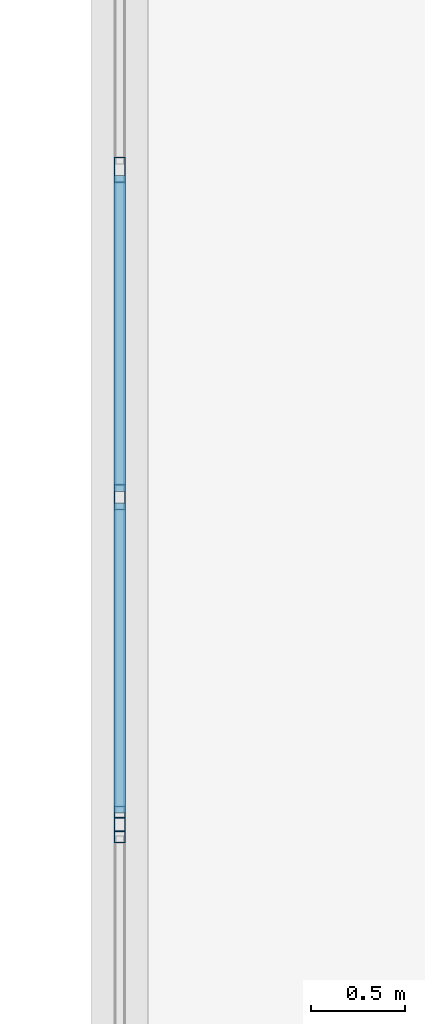
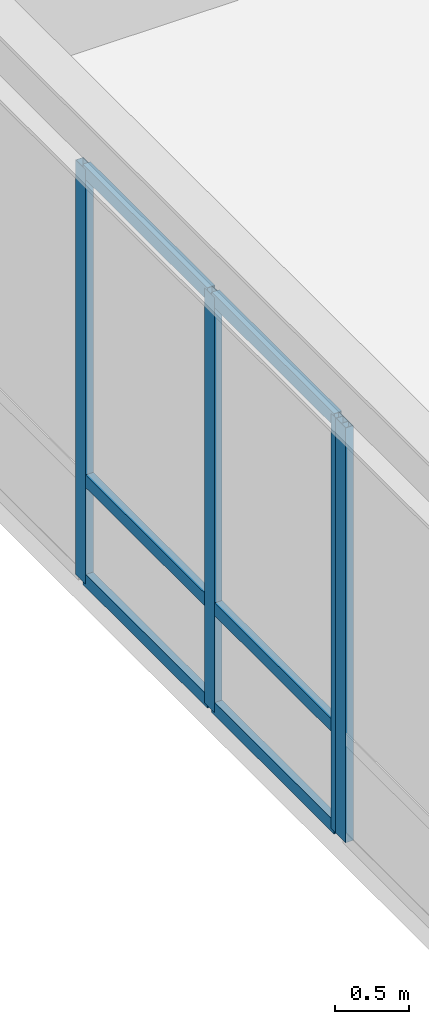
# One storey, part 21 of 36: 10 members, 2 elements without a shape of their own.
"""IFC4 building model written with IfcOpenShell, lengths in metres."""

from ifc_helpers import new_model, si_unit, direction, frame, origin, origin_2d, place, context, subcontext, project, spatial, hollow_rectangle, extrude, material, material_profile, profile_set, type_object, element, aggregate, save


model = new_model("IFC4")

# Units and contexts
model_context = context("Model", 3, precision=1e-05, world=origin(), true_north=direction((0.0, 1.0)))
body_context = subcontext(model_context, "Body", "Model", "MODEL_VIEW")
ifc_project = project(units=[si_unit("LENGTHUNIT", "METRE"), si_unit("AREAUNIT", "SQUARE_METRE"), si_unit("VOLUMEUNIT", "CUBIC_METRE"), si_unit("PLANEANGLEUNIT", "RADIAN"), si_unit("MASSUNIT", "GRAM", prefix="KILO")], contexts=[model_context])

# Site, building, storey
site_placement = place(None, origin())
site = spatial("IfcSite", under=ifc_project, at=site_placement, CompositionType="ELEMENT")
building_placement = place(site_placement, origin())
building = spatial("IfcBuilding", under=site, at=building_placement, Name="Lykobir Media Centre", CompositionType="ELEMENT")
storey_placement = place(building_placement, frame((0.0, 0.0, 27.60009765625)))
storey = spatial("IfcBuildingStorey", under=building, at=storey_placement, Name="L06", CompositionType="ELEMENT", Elevation=27.60009765625)

# Curtain wall, member
ifc_material = material(Name="Anodized Aluminium AW-6060", Category="aluminium")
curtain_wall_type = type_object("IfcCurtainWallType", Name="CW-PAV-V3", PredefinedType="NOTDEFINED", material=ifc_material)
curtain_wall_1_placement = place(storey_placement, origin())
curtain_wall_1 = element("IfcCurtainWall", 1, at=curtain_wall_1_placement, inside=storey, type_object=curtain_wall_type, Name="Curtain wall CW2-L06-0213", PredefinedType="NOTDEFINED")
ifc_material_profile_1 = material_profile(ifc_material, hollow_rectangle(XDim=0.06005859375, YDim=0.135009765625, WallThickness=0.00341796875, at=origin_2d()), Name="ALU MULLION 60x135")
ifc_profile_set_1 = profile_set([ifc_material_profile_1], Name="Anodized Aluminium AW-6060")
member_type_1 = type_object("IfcMemberType", Name="CWM-135", PredefinedType="MULLION", material=ifc_profile_set_1)
member_1_placement = place(storey_placement, frame((18.0, 35.969970703125, 0.0), z_axis=(0.0, 0.0, 1.0), x_axis=(-1.0, 0.0, 0.0)))
member_1 = element("IfcMember", 2, at=member_1_placement, type_object=member_type_1, Name="CW2-L06-0213 mullion 6", PredefinedType="MULLION", context=body_context, shape_type="SweptSolid", body=[
    extrude(hollow_rectangle(XDim=0.06005859375, YDim=0.135009765625, WallThickness=0.00341796875, at=origin_2d()), origin(), (0.0, 0.0, 1.0), 3.414794921875),
])
aggregate(curtain_wall_1, [member_1])

# Curtain wall, members
curtain_wall_2_placement = place(storey_placement, origin())
curtain_wall_2 = element("IfcCurtainWall", 3, at=curtain_wall_2_placement, inside=storey, type_object=curtain_wall_type, Name="Curtain wall CW2-L06-0214", PredefinedType="NOTDEFINED")
member_2_placement = place(storey_placement, frame((18.0, 36.030029296875, 0.0), z_axis=(0.0, 0.0, 1.0), x_axis=(-1.0, 0.0, 0.0)))
member_2 = element("IfcMember", 4, at=member_2_placement, type_object=member_type_1, Name="CW2-L06-0214 mullion 1", PredefinedType="MULLION", context=body_context, shape_type="SweptSolid", body=[
    extrude(hollow_rectangle(XDim=0.06005859375, YDim=0.135009765625, WallThickness=0.00341796875, at=origin_2d()), origin(), (0.0, 0.0, 1.0), 3.414794921875),
])
member_3_placement = place(storey_placement, frame((18.0, 37.739013671875, 0.0), z_axis=(0.0, 0.0, 1.0), x_axis=(-1.0, 0.0, 0.0)))
member_3 = element("IfcMember", 5, at=member_3_placement, type_object=member_type_1, Name="CW2-L06-0214 mullion 2", PredefinedType="MULLION", context=body_context, shape_type="SweptSolid", body=[
    extrude(hollow_rectangle(XDim=0.06005859375, YDim=0.135009765625, WallThickness=0.00341796875, at=origin_2d()), origin(), (0.0, 0.0, 1.0), 3.414794921875),
])
member_4_placement = place(storey_placement, frame((18.0, 39.47802734375, 0.0), z_axis=(0.0, 0.0, 1.0), x_axis=(-1.0, 0.0, 0.0)))
member_4 = element("IfcMember", 6, at=member_4_placement, type_object=member_type_1, Name="CW2-L06-0214 mullion 3", PredefinedType="MULLION", context=body_context, shape_type="SweptSolid", body=[
    extrude(hollow_rectangle(XDim=0.06005859375, YDim=0.135009765625, WallThickness=0.00341796875, at=origin_2d()), origin(), (0.0, 0.0, 1.0), 3.414794921875),
])
ifc_material_profile_2 = material_profile(ifc_material, hollow_rectangle(XDim=0.06005859375, YDim=0.10498046875, WallThickness=0.0029296875, at=origin_2d()), Name="ALU TRANSOM 60x105")
ifc_profile_set_2 = profile_set([ifc_material_profile_2], Name="Anodized Aluminium AW-6060")
member_type_2 = type_object("IfcMemberType", Name="CWT-105", PredefinedType="USERDEFINED", material=ifc_profile_set_2)
member_5_placement = place(storey_placement, frame((18.0, 36.06005859375, 0.02978515625), z_axis=(0.0, 1.0, 0.0), x_axis=(-1.0, 0.0, 0.0)))
member_5 = element("IfcMember", 7, at=member_5_placement, type_object=member_type_2, Name="CW2-L06-0214 transom 1.1", ObjectType="TRANSOM", PredefinedType="USERDEFINED", context=body_context, shape_type="SweptSolid", body=[
    extrude(hollow_rectangle(XDim=0.06005859375, YDim=0.10498046875, WallThickness=0.0029296875, at=origin_2d()), origin(), (0.0, 0.0, 1.0), 1.64892578125),
])
member_6_placement = place(storey_placement, frame((18.0, 36.06005859375, 0.849853515625), z_axis=(0.0, 1.0, 0.0), x_axis=(-1.0, 0.0, 0.0)))
member_6 = element("IfcMember", 8, at=member_6_placement, type_object=member_type_2, Name="CW2-L06-0214 transom 1.2", ObjectType="TRANSOM", PredefinedType="USERDEFINED", context=body_context, shape_type="SweptSolid", body=[
    extrude(hollow_rectangle(XDim=0.06005859375, YDim=0.10498046875, WallThickness=0.0029296875, at=origin_2d()), origin(), (0.0, 0.0, 1.0), 1.64892578125),
])
member_7_placement = place(storey_placement, frame((18.0, 36.06005859375, 3.385009765625), z_axis=(0.0, 1.0, 0.0), x_axis=(-1.0, 0.0, 0.0)))
member_7 = element("IfcMember", 9, at=member_7_placement, type_object=member_type_2, Name="CW2-L06-0214 transom 1.3", ObjectType="TRANSOM", PredefinedType="USERDEFINED", context=body_context, shape_type="SweptSolid", body=[
    extrude(hollow_rectangle(XDim=0.06005859375, YDim=0.10498046875, WallThickness=0.0029296875, at=origin_2d()), origin(), (0.0, 0.0, 1.0), 1.64892578125),
])
member_8_placement = place(storey_placement, frame((18.0, 37.76904296875, 0.02978515625), z_axis=(0.0, 1.0, 0.0), x_axis=(-1.0, 0.0, 0.0)))
member_8 = element("IfcMember", 10, at=member_8_placement, type_object=member_type_2, Name="CW2-L06-0214 transom 2.1", ObjectType="TRANSOM", PredefinedType="USERDEFINED", context=body_context, shape_type="SweptSolid", body=[
    extrude(hollow_rectangle(XDim=0.06005859375, YDim=0.10498046875, WallThickness=0.0029296875, at=origin_2d()), origin(), (0.0, 0.0, 1.0), 1.678955078125),
])
member_9_placement = place(storey_placement, frame((18.0, 37.76904296875, 0.849853515625), z_axis=(0.0, 1.0, 0.0), x_axis=(-1.0, 0.0, 0.0)))
member_9 = element("IfcMember", 11, at=member_9_placement, type_object=member_type_2, Name="CW2-L06-0214 transom 2.2", ObjectType="TRANSOM", PredefinedType="USERDEFINED", context=body_context, shape_type="SweptSolid", body=[
    extrude(hollow_rectangle(XDim=0.06005859375, YDim=0.10498046875, WallThickness=0.0029296875, at=origin_2d()), origin(), (0.0, 0.0, 1.0), 1.678955078125),
])
member_10_placement = place(storey_placement, frame((18.0, 37.76904296875, 3.385009765625), z_axis=(0.0, 1.0, 0.0), x_axis=(-1.0, 0.0, 0.0)))
member_10 = element("IfcMember", 12, at=member_10_placement, type_object=member_type_2, Name="CW2-L06-0214 transom 2.3", ObjectType="TRANSOM", PredefinedType="USERDEFINED", context=body_context, shape_type="SweptSolid", body=[
    extrude(hollow_rectangle(XDim=0.06005859375, YDim=0.10498046875, WallThickness=0.0029296875, at=origin_2d()), origin(), (0.0, 0.0, 1.0), 1.678955078125),
])
aggregate(curtain_wall_2, [member_2, member_3, member_4, member_5, member_6, member_7, member_8, member_9, member_10])

save(model, "model.ifc")
